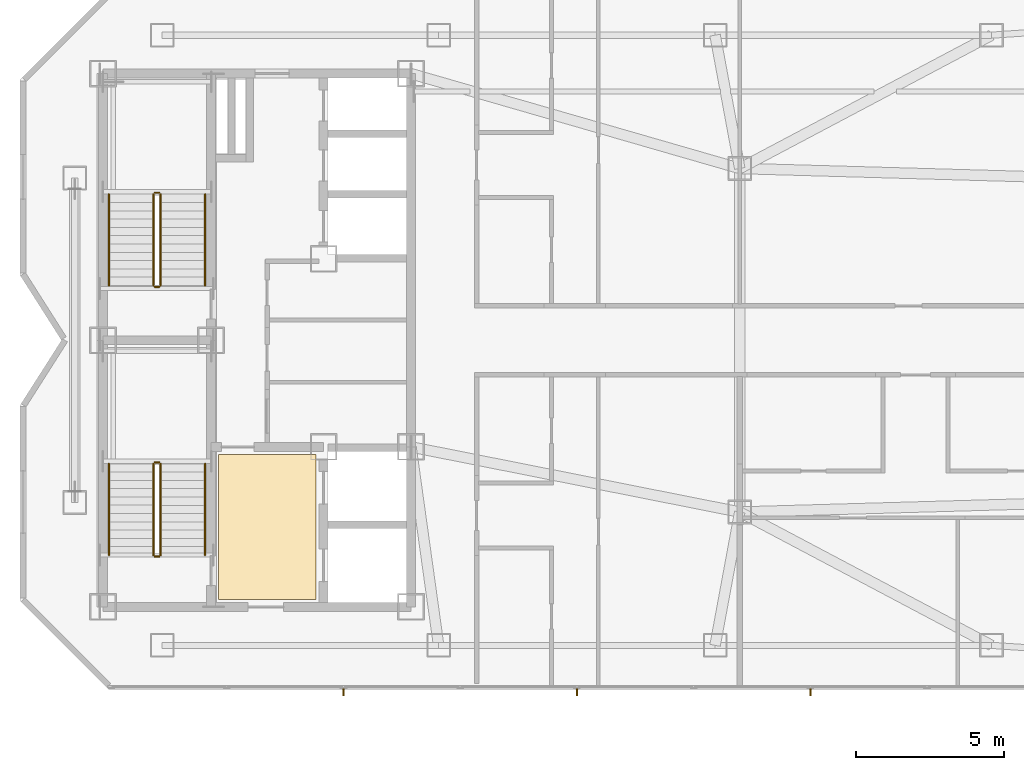
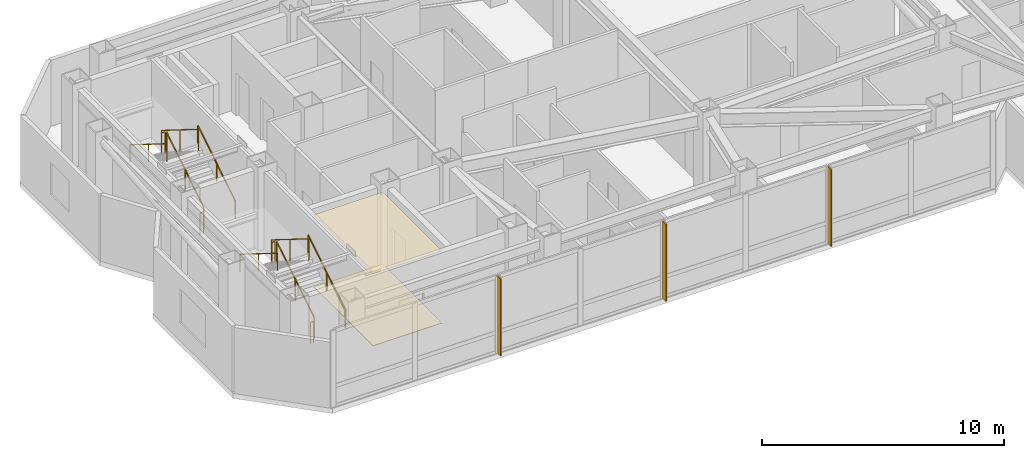
# One storey, part 12 of 12: 12 railings, 3 shading devices, 2 coverings.
"""IFC4 building model written with IfcOpenShell, lengths in metres."""

from ifc_helpers import new_model, si_unit, direction, frame, origin, origin_2d, place, context, subcontext, project, spatial, polyline, rectangle, circle, outline, extrude, material, layer, layer_set, type_object, element, save


model = new_model("IFC4")

# Units and contexts
model_context = context("Model", 3, precision=1e-05, world=origin(), true_north=direction((0.0, 1.0)))
body_context = subcontext(model_context, "Body", "Model", "MODEL_VIEW")
ifc_project = project(units=[si_unit("LENGTHUNIT", "METRE"), si_unit("AREAUNIT", "SQUARE_METRE"), si_unit("VOLUMEUNIT", "CUBIC_METRE"), si_unit("PLANEANGLEUNIT", "RADIAN"), si_unit("MASSUNIT", "GRAM", prefix="KILO")], contexts=[model_context])

# Site, building, storey
site_placement = place(None, origin())
site = spatial("IfcSite", under=ifc_project, at=site_placement, CompositionType="ELEMENT")
building_placement = place(site_placement, origin())
building = spatial("IfcBuilding", under=site, at=building_placement, Name="Khamvora Tower", CompositionType="ELEMENT")
storey_placement = place(building_placement, frame((0.0, 0.0, 298.85009765625)))
storey = spatial("IfcBuildingStorey", under=building, at=storey_placement, Name="L76", CompositionType="ELEMENT", Elevation=298.85009765625)

# Coverings
ifc_material_1 = material(Name="Perforated Mineral-Fibre Acoustic Ceiling Tile", Category="gypsum")
ifc_layer_1 = layer(ifc_material_1, 0.02490234375)
ifc_layer_set_1 = layer_set([ifc_layer_1], Name="Perforated Mineral-Fibre Acoustic Ceiling Tile")
covering_type_1 = type_object("IfcCoveringType", Name="COV-CEIL-600", PredefinedType="CEILING", material=ifc_layer_set_1)
covering_1_placement = place(storey_placement, frame((0.0, 0.0, 3.6298828125)))
element("IfcCovering", 1, at=covering_1_placement, inside=storey, type_object=covering_type_1, Name="L76 core lobby suspended acoustic ceiling", PredefinedType="CEILING", context=body_context, shape_type="SweptSolid", body=[
    extrude(outline(polyline([(32.89990234375, 19.25), (36.199951171875, 19.25), (36.199951171875, 24.14990234375), (32.89990234375, 24.14990234375), (32.89990234375, 19.25)])), origin(), (0.0, 0.0, 1.0), 0.02490234375),
])
ifc_material_2 = material(Name="Honed Terrazzo Stone Tile", Category="masonry")
ifc_layer_2 = layer(ifc_material_2, 0.02001953125)
ifc_layer_set_2 = layer_set([ifc_layer_2], Name="Honed Terrazzo Stone Tile")
covering_type_2 = type_object("IfcCoveringType", Name="COV-FLOR-20", PredefinedType="FLOORING", material=ifc_layer_set_2)
covering_2_placement = place(storey_placement, origin())
element("IfcCovering", 2, at=covering_2_placement, inside=storey, type_object=covering_type_2, Name="L76 lift lobby terrazzo flooring", PredefinedType="FLOORING", context=body_context, shape_type="SweptSolid", body=[
    extrude(outline(polyline([(32.89990234375, 19.25), (36.199951171875, 19.25), (36.199951171875, 24.14990234375), (32.89990234375, 24.14990234375), (32.89990234375, 19.25)])), origin(), (0.0, 0.0, 1.0), 0.02001953125),
])

# Railings
ifc_material_3 = material(Name="Brushed Stainless Steel 316", Category="steel")
railing_type_1 = type_object("IfcRailingType", Name="RAL-HDR-920", PredefinedType="HANDRAIL", material=ifc_material_3)
railing_1_placement = place(storey_placement, frame((32.449951171875, 20.75, 0.1748046875)))
element("IfcRailing", 3, at=railing_1_placement, inside=storey, type_object=railing_type_1, Name="L76 ST-01 stair handrail 1", PredefinedType="HANDRAIL", context=body_context, shape_type="SweptSolid", body=[
    extrude(circle(Radius=0.02392578125, at=origin_2d()), frame((0.0, 0.0, 0.8759765625), z_axis=(0.0, 0.847998304005, 0.529998940003), x_axis=(-1.0, 0.0, 0.0)), (0.0, 0.0, 1.0), 3.632080078125),
    extrude(circle(Radius=0.02099609375, at=origin_2d()), origin(), (0.0, 0.0, 1.0), 0.851806640625),
    extrude(circle(Radius=0.02099609375, at=origin_2d()), frame((0.0, 1.5400390625, 0.96240234375)), (0.0, 0.0, 1.0), 0.851806640625),
    extrude(circle(Radius=0.02099609375, at=origin_2d()), frame((0.0, 3.080078125, 1.925048828125)), (0.0, 0.0, 1.0), 0.851806640625),
])
railing_2_placement = place(storey_placement, frame((29.199951171875, 23.830078125, 2.27490234375)))
element("IfcRailing", 4, at=railing_2_placement, inside=storey, type_object=railing_type_1, Name="L76 ST-01 stair handrail 2", PredefinedType="HANDRAIL", context=body_context, shape_type="SweptSolid", body=[
    extrude(circle(Radius=0.02392578125, at=origin_2d()), frame((0.0, 0.0, 0.8759765625), z_axis=(0.0, -0.847998304005, 0.529998940003), x_axis=(1.0, 0.0, 0.0)), (0.0, 0.0, 1.0), 3.632080078125),
    extrude(circle(Radius=0.02099609375, at=origin_2d()), origin(), (0.0, 0.0, 1.0), 0.851806640625),
    extrude(circle(Radius=0.02099609375, at=origin_2d()), frame((0.0, -1.5400390625, 0.96240234375)), (0.0, 0.0, 1.0), 0.851806640625),
    extrude(circle(Radius=0.02099609375, at=origin_2d()), frame((0.0, -3.080078125, 1.925048828125)), (0.0, 0.0, 1.0), 0.851806640625),
])
railing_3_placement = place(storey_placement, frame((32.449951171875, 29.85009765625, 0.1748046875)))
element("IfcRailing", 5, at=railing_3_placement, inside=storey, type_object=railing_type_1, Name="L76 ST-02 stair handrail 1", PredefinedType="HANDRAIL", context=body_context, shape_type="SweptSolid", body=[
    extrude(circle(Radius=0.02392578125, at=origin_2d()), frame((0.0, 0.0, 0.8759765625), z_axis=(0.0, 0.847979421464, 0.530029150871), x_axis=(-1.0, 0.0, 0.0)), (0.0, 0.0, 1.0), 3.632080078125),
    extrude(circle(Radius=0.02099609375, at=origin_2d()), origin(), (0.0, 0.0, 1.0), 0.851806640625),
    extrude(circle(Radius=0.02099609375, at=origin_2d()), frame((0.0, 1.5400390625, 0.96240234375)), (0.0, 0.0, 1.0), 0.851806640625),
    extrude(circle(Radius=0.02099609375, at=origin_2d()), frame((0.0, 3.079833984375, 1.925048828125)), (0.0, 0.0, 1.0), 0.851806640625),
])
railing_4_placement = place(storey_placement, frame((29.199951171875, 32.929931640625, 2.27490234375)))
element("IfcRailing", 6, at=railing_4_placement, inside=storey, type_object=railing_type_1, Name="L76 ST-02 stair handrail 2", PredefinedType="HANDRAIL", context=body_context, shape_type="SweptSolid", body=[
    extrude(circle(Radius=0.02392578125, at=origin_2d()), frame((0.0, 0.0, 0.8759765625), z_axis=(0.0, -0.847979421464, 0.530029150871), x_axis=(1.0, 0.0, 0.0)), (0.0, 0.0, 1.0), 3.632080078125),
    extrude(circle(Radius=0.02099609375, at=origin_2d()), origin(), (0.0, 0.0, 1.0), 0.851806640625),
    extrude(circle(Radius=0.02099609375, at=origin_2d()), frame((0.0, -1.5400390625, 0.96240234375)), (0.0, 0.0, 1.0), 0.851806640625),
    extrude(circle(Radius=0.02099609375, at=origin_2d()), frame((0.0, -3.079833984375, 1.925048828125)), (0.0, 0.0, 1.0), 0.851806640625),
])
ifc_material_4 = material(Name="Stainless Steel 316", Category="steel")
railing_type_2 = type_object("IfcRailingType", Name="RAL-STG-1100", PredefinedType="GUARDRAIL", material=ifc_material_4)
railing_5_placement = place(storey_placement, frame((30.949951171875, 20.75, 0.1748046875)))
element("IfcRailing", 7, at=railing_5_placement, inside=storey, type_object=railing_type_2, Name="L76 ST-01 stair guard 1", PredefinedType="GUARDRAIL", context=body_context, shape_type="SweptSolid", body=[
    extrude(circle(Radius=0.02392578125, at=origin_2d()), frame((0.0, 0.0, 1.076171875), z_axis=(0.0, 0.847998304005, 0.529998940003), x_axis=(-1.0, 0.0, 0.0)), (0.0, 0.0, 1.0), 3.632080078125),
    extrude(circle(Radius=0.02099609375, at=origin_2d()), origin(), (0.0, 0.0, 1.0), 1.052001953125),
    extrude(circle(Radius=0.02099609375, at=origin_2d()), frame((0.0, 1.5400390625, 0.96240234375)), (0.0, 0.0, 1.0), 1.052001953125),
    extrude(circle(Radius=0.02099609375, at=origin_2d()), frame((0.0, 3.080078125, 1.925048828125)), (0.0, 0.0, 1.0), 1.052001953125),
])
railing_6_placement = place(storey_placement, frame((30.89990234375, 23.8798828125, 2.099853515625)))
element("IfcRailing", 8, at=railing_6_placement, inside=storey, type_object=railing_type_2, Name="L76 ST-01 stair guard 2", PredefinedType="GUARDRAIL", context=body_context, shape_type="SweptSolid", body=[
    extrude(circle(Radius=0.02392578125, at=origin_2d()), frame((0.0, 0.0, 1.076171875), z_axis=(-1.0, 0.0, 0.0), x_axis=(0.0, -1.0, 0.0)), (0.0, 0.0, 1.0), 0.14990234375),
    extrude(circle(Radius=0.02099609375, at=origin_2d()), origin(), (0.0, 0.0, 1.0), 1.052001953125),
    extrude(circle(Radius=0.02099609375, at=origin_2d()), frame((-0.14990234375, 0.0, 0.0)), (0.0, 0.0, 1.0), 1.052001953125),
])
railing_7_placement = place(storey_placement, frame((30.699951171875, 23.830078125, 2.27490234375)))
element("IfcRailing", 9, at=railing_7_placement, inside=storey, type_object=railing_type_2, Name="L76 ST-01 stair guard 3", PredefinedType="GUARDRAIL", context=body_context, shape_type="SweptSolid", body=[
    extrude(circle(Radius=0.02392578125, at=origin_2d()), frame((0.0, 0.0, 1.076171875), z_axis=(0.0, -0.847998304005, 0.529998940003), x_axis=(1.0, 0.0, 0.0)), (0.0, 0.0, 1.0), 3.632080078125),
    extrude(circle(Radius=0.02099609375, at=origin_2d()), origin(), (0.0, 0.0, 1.0), 1.052001953125),
    extrude(circle(Radius=0.02099609375, at=origin_2d()), frame((0.0, -1.5400390625, 0.96240234375)), (0.0, 0.0, 1.0), 1.052001953125),
    extrude(circle(Radius=0.02099609375, at=origin_2d()), frame((0.0, -3.080078125, 1.925048828125)), (0.0, 0.0, 1.0), 1.052001953125),
])
railing_8_placement = place(storey_placement, frame((30.89990234375, 20.699951171875, 0.0)))
element("IfcRailing", 10, at=railing_8_placement, inside=storey, type_object=railing_type_2, Name="L76 ST-01 stair guard 4", PredefinedType="GUARDRAIL", context=body_context, shape_type="SweptSolid", body=[
    extrude(circle(Radius=0.02392578125, at=origin_2d()), frame((0.0, 0.0, 1.076171875), z_axis=(-1.0, 0.0, 0.0), x_axis=(0.0, -1.0, 0.0)), (0.0, 0.0, 1.0), 0.14990234375),
    extrude(circle(Radius=0.02099609375, at=origin_2d()), origin(), (0.0, 0.0, 1.0), 1.052001953125),
    extrude(circle(Radius=0.02099609375, at=origin_2d()), frame((-0.14990234375, 0.0, 0.0)), (0.0, 0.0, 1.0), 1.052001953125),
])
railing_9_placement = place(storey_placement, frame((30.949951171875, 29.85009765625, 0.1748046875)))
element("IfcRailing", 11, at=railing_9_placement, inside=storey, type_object=railing_type_2, Name="L76 ST-02 stair guard 1", PredefinedType="GUARDRAIL", context=body_context, shape_type="SweptSolid", body=[
    extrude(circle(Radius=0.02392578125, at=origin_2d()), frame((0.0, 0.0, 1.076171875), z_axis=(0.0, 0.847979421464, 0.530029150871), x_axis=(-1.0, 0.0, 0.0)), (0.0, 0.0, 1.0), 3.632080078125),
    extrude(circle(Radius=0.02099609375, at=origin_2d()), origin(), (0.0, 0.0, 1.0), 1.052001953125),
    extrude(circle(Radius=0.02099609375, at=origin_2d()), frame((0.0, 1.5400390625, 0.96240234375)), (0.0, 0.0, 1.0), 1.052001953125),
    extrude(circle(Radius=0.02099609375, at=origin_2d()), frame((0.0, 3.079833984375, 1.925048828125)), (0.0, 0.0, 1.0), 1.052001953125),
])
railing_10_placement = place(storey_placement, frame((30.89990234375, 32.97998046875, 2.099853515625)))
element("IfcRailing", 12, at=railing_10_placement, inside=storey, type_object=railing_type_2, Name="L76 ST-02 stair guard 2", PredefinedType="GUARDRAIL", context=body_context, shape_type="SweptSolid", body=[
    extrude(circle(Radius=0.02392578125, at=origin_2d()), frame((0.0, 0.0, 1.076171875), z_axis=(-1.0, 0.0, 0.0), x_axis=(0.0, -1.0, 0.0)), (0.0, 0.0, 1.0), 0.14990234375),
    extrude(circle(Radius=0.02099609375, at=origin_2d()), origin(), (0.0, 0.0, 1.0), 1.052001953125),
    extrude(circle(Radius=0.02099609375, at=origin_2d()), frame((-0.14990234375, 0.0, 0.0)), (0.0, 0.0, 1.0), 1.052001953125),
])
railing_11_placement = place(storey_placement, frame((30.699951171875, 32.929931640625, 2.27490234375)))
element("IfcRailing", 13, at=railing_11_placement, inside=storey, type_object=railing_type_2, Name="L76 ST-02 stair guard 3", PredefinedType="GUARDRAIL", context=body_context, shape_type="SweptSolid", body=[
    extrude(circle(Radius=0.02392578125, at=origin_2d()), frame((0.0, 0.0, 1.076171875), z_axis=(0.0, -0.847979421464, 0.530029150871), x_axis=(1.0, 0.0, 0.0)), (0.0, 0.0, 1.0), 3.632080078125),
    extrude(circle(Radius=0.02099609375, at=origin_2d()), origin(), (0.0, 0.0, 1.0), 1.052001953125),
    extrude(circle(Radius=0.02099609375, at=origin_2d()), frame((0.0, -1.5400390625, 0.96240234375)), (0.0, 0.0, 1.0), 1.052001953125),
    extrude(circle(Radius=0.02099609375, at=origin_2d()), frame((0.0, -3.079833984375, 1.925048828125)), (0.0, 0.0, 1.0), 1.052001953125),
])
railing_12_placement = place(storey_placement, frame((30.89990234375, 29.800048828125, 0.0)))
element("IfcRailing", 14, at=railing_12_placement, inside=storey, type_object=railing_type_2, Name="L76 ST-02 stair guard 4", PredefinedType="GUARDRAIL", context=body_context, shape_type="SweptSolid", body=[
    extrude(circle(Radius=0.02392578125, at=origin_2d()), frame((0.0, 0.0, 1.076171875), z_axis=(-1.0, 0.0, 0.0), x_axis=(0.0, -1.0, 0.0)), (0.0, 0.0, 1.0), 0.14990234375),
    extrude(circle(Radius=0.02099609375, at=origin_2d()), origin(), (0.0, 0.0, 1.0), 1.052001953125),
    extrude(circle(Radius=0.02099609375, at=origin_2d()), frame((-0.14990234375, 0.0, 0.0)), (0.0, 0.0, 1.0), 1.052001953125),
])

# Shading devices
ifc_material_5 = material(Name="Pale Anodised Aluminium 6063-T6", Category="aluminium")
shading_device_type = type_object("IfcShadingDeviceType", Name="SHD-FIN-280", PredefinedType="USERDEFINED", material=ifc_material_5)
for number, where, z_axis, x_axis, name in (
    (15, (52.8798828125, 16.135009765625, 0.0), (0.0, 0.0, 1.0), (-1.0, 0.0, 0.0), "L76 anodised bronze solar fin 01.01"),
    (16, (45.0, 16.135009765625, 0.0), (0.0, 0.0, 1.0), (-1.0, 0.0, 0.0), "L76 anodised bronze solar fin 01.02"),
    (17, (37.1201171875, 16.135009765625, 0.0), (0.0, 0.0, 1.0), (-1.0, 0.0, 0.0), "L76 anodised bronze solar fin 01.03"),
):
    element("IfcShadingDevice", number, at=place(storey_placement, frame(where, z_axis=z_axis, x_axis=x_axis)), inside=storey, type_object=shading_device_type, Name=name, ObjectType="FIN", PredefinedType="USERDEFINED", context=body_context, shape_type="SweptSolid", body=[
        extrude(rectangle(XDim=0.050048828125, YDim=0.280029296875, at=origin_2d()), origin(), (0.0, 0.0, 1.0), 3.8798828125),
    ])

save(model, "model.ifc")
